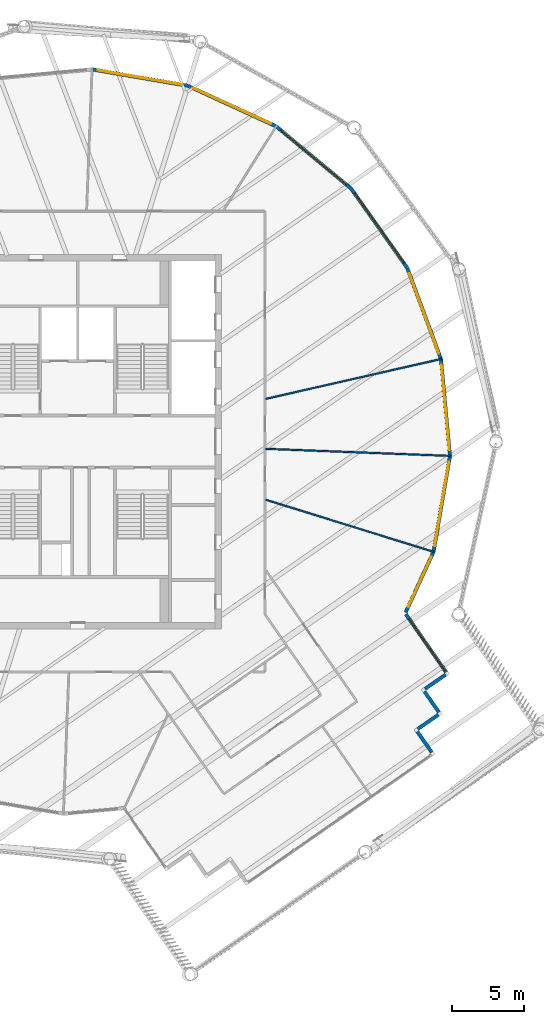
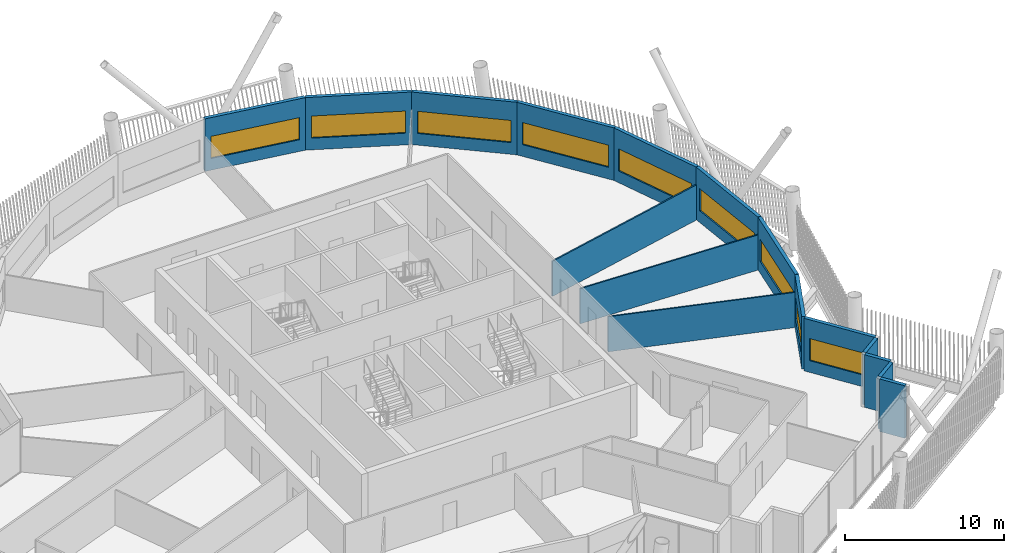
# One storey, part 20 of 33: 16 walls, 9 windows, 9 openings.
"""IFC4 building model written with IfcOpenShell, lengths in metres."""

import ifcopenshell
import ifcopenshell.guid

model = None  # the IFC model being written
_history = None  # IfcOwnerHistory: only IFC2X3 demands one
_inside = {}  # id of a spatial element -> (the spatial element, [elements in it])
_under = {}  # id of a project, library or spatial element -> (it, [spatial elements below it])
_declared = {}  # id of a project -> (the project, [libraries it declares])
_typed = {}  # id of a type object -> (the type object, [elements of that type])
_made_of = {}  # id of a material, layer set ... -> (it, [elements and type objects made of it])


def new_model(schema):
    """Start an empty IFC model of exactly this schema.

    Asked for "IFC4X3", IfcOpenShell would pick the latest addendum, in which some entities
    have other attributes; the version numbers below select the first issue.
    IFC2X3 requires an IfcOwnerHistory on every rooted entity: one is made here for all.
    """
    global model, _history
    if schema == "IFC4X3":
        model = ifcopenshell.file(schema_version=(4, 3, 0, 0))
    else:
        model = ifcopenshell.file(schema=schema)
    _inside.clear()
    _under.clear()
    _declared.clear()
    _typed.clear()
    _made_of.clear()
    _history = None
    if model.schema == "IFC2X3":
        org = make("IfcOrganization", Name="unknown")
        user = make(
            "IfcPersonAndOrganization",
            ThePerson=make("IfcPerson", FamilyName="unknown"),
            TheOrganization=org,
        )
        app = make(
            "IfcApplication",
            ApplicationDeveloper=org,
            Version="unknown",
            ApplicationFullName="unknown",
            ApplicationIdentifier="unknown",
        )
        _history = make(
            "IfcOwnerHistory",
            OwningUser=user,
            OwningApplication=app,
            ChangeAction="ADDED",
            CreationDate=0,
        )
    return model


def make(cls, **values):
    """One entity of the class cls with the attributes given. An attribute that is None is left unset."""
    return model.create_entity(
        cls, **{name: value for name, value in values.items() if value is not None}
    )


def rooted(cls, **values):
    """An entity with a GlobalId (a new one), such as an element, a storey or a relation."""
    return make(cls, GlobalId=ifcopenshell.guid.new(), OwnerHistory=_history, **values)


def si_unit(unit_type, name, prefix=None):
    """IfcSIUnit, for example si_unit("LENGTHUNIT", "METRE", prefix="MILLI")."""
    return make("IfcSIUnit", UnitType=unit_type, Prefix=prefix, Name=name)


def assignment(units):
    """IfcUnitAssignment: the units of a project."""
    return None if units is None else make("IfcUnitAssignment", Units=units)


def point(xyz):
    """IfcCartesianPoint."""
    return None if xyz is None else make("IfcCartesianPoint", Coordinates=xyz)


def direction(xyz):
    """IfcDirection."""
    return None if xyz is None else make("IfcDirection", DirectionRatios=xyz)


def frame(location, z_axis=None, x_axis=None):
    """IfcAxis2Placement3D, a coordinate frame: its origin and axes. An axis left out is left unset."""
    return make(
        "IfcAxis2Placement3D",
        Location=point(location),
        Axis=direction(z_axis),
        RefDirection=direction(x_axis),
    )


def frame_2d(location, x_axis=None):
    """IfcAxis2Placement2D, a coordinate frame in the plane: its origin and x axis."""
    return make(
        "IfcAxis2Placement2D", Location=point(location), RefDirection=direction(x_axis)
    )


def origin():
    """The frame at (0, 0, 0) with its axes left unset."""
    return frame((0.0, 0.0, 0.0))


def place(relative_to, where):
    """IfcLocalPlacement: puts the frame where relative to a parent placement (None: the world)."""
    return make(
        "IfcLocalPlacement", PlacementRelTo=relative_to, RelativePlacement=where
    )


def context(
    kind, dimensions, precision=None, world=None, true_north=None, identifier=None
):
    """IfcGeometricRepresentationContext, for example the 3D "Model" context."""
    return make(
        "IfcGeometricRepresentationContext",
        ContextIdentifier=identifier,
        ContextType=kind,
        CoordinateSpaceDimension=dimensions,
        Precision=precision,
        WorldCoordinateSystem=world,
        TrueNorth=true_north,
    )


def subcontext(parent, identifier, kind, view, scale=None):
    """IfcGeometricRepresentationSubContext, for example "Body" below "Model"."""
    return make(
        "IfcGeometricRepresentationSubContext",
        ContextIdentifier=identifier,
        ContextType=kind,
        ParentContext=parent,
        TargetScale=scale,
        TargetView=view,
    )


def project(units=None, contexts=None):
    """IfcProject with its units and contexts."""
    return rooted(
        "IfcProject",
        Name="project",
        RepresentationContexts=contexts,
        UnitsInContext=assignment(units),
    )


def spatial(cls, under=None, at=None, **own):
    """A site, building, storey or space (cls), placed at a placement, below another one or the project."""
    s = rooted(cls, ObjectPlacement=at, **own)
    if under is not None:
        _under.setdefault(under.id(), (under, []))[1].append(s)
    return s


def profile(cls, at=None, kind="AREA", **sizes):
    """A parametric profile (cls). Its sizes go by their IFC names, for example OverallWidth=200.0."""
    return make(cls, ProfileType=kind, Position=at, **sizes)


def rectangle(**sizes):
    """IfcRectangleProfileDef."""
    return profile("IfcRectangleProfileDef", **sizes)


def extrude(swept, where, along, depth):
    """IfcExtrudedAreaSolid: the profile swept, set in the frame where, extruded along a direction by depth."""
    return make(
        "IfcExtrudedAreaSolid",
        SweptArea=swept,
        Position=where,
        ExtrudedDirection=direction(along),
        Depth=depth,
    )


def shape(context_of_items, identifier, shape_type, items):
    """IfcShapeRepresentation: the items that make up one representation, for example the "Body"."""
    return make(
        "IfcShapeRepresentation",
        ContextOfItems=context_of_items,
        RepresentationIdentifier=identifier,
        RepresentationType=shape_type,
        Items=items,
    )


def material(Name=None, Category=None):
    """IfcMaterial."""
    return make("IfcMaterial", Name=Name, Category=Category)


def layer(
    of_material, thickness, ventilated=None, Name=None, Category=None, Priority=None
):
    """IfcMaterialLayer: one layer of a wall or slab, of a material (None: an air gap)."""
    return make(
        "IfcMaterialLayer",
        Material=of_material,
        LayerThickness=thickness,
        IsVentilated=ventilated,
        Name=Name,
        Category=Category,
        Priority=Priority,
    )


def layer_set(layers, Name=None):
    """IfcMaterialLayerSet."""
    return make("IfcMaterialLayerSet", MaterialLayers=layers, LayerSetName=Name)


def made_of(thing, what):
    """Note that an element or type object is made of a material, layer set ...; save() writes the relation."""
    if what is not None:
        _made_of.setdefault(what.id(), (what, []))[1].append(thing)
    return thing


def type_object(cls, material=None, **own):
    """A type object (cls), such as IfcWallType, which elements share."""
    return made_of(rooted(cls, **own), material)


def element(
    cls,
    number,
    at=None,
    inside=None,
    cuts=None,
    type_object=None,
    material=None,
    context=None,
    identifier="Body",
    shape_type=None,
    held_by="IfcProductDefinitionShape",
    body=None,
    shapes=None,
    **own,
):
    """One element of the class cls, such as IfcWall. Its Tag is "e" and its number.

    at: its placement. inside: the storey or other place that contains it. cuts: it is an
    opening in that element (IfcRelVoidsElement). A single representation is given by context,
    identifier, shape_type and body (its items); several are given by shapes. held_by: the class
    of the entity that holds the representations. save() writes the other relations.
    """
    e = rooted(cls, Tag="e%d" % number, ObjectPlacement=at, **own)
    if body is not None:
        shapes = [shape(context, identifier, shape_type, body)]
    if shapes is not None:
        e.Representation = make(held_by, Representations=shapes)
    if inside is not None:
        _inside.setdefault(inside.id(), (inside, []))[1].append(e)
    if cuts is not None:
        rooted(
            "IfcRelVoidsElement", RelatingBuildingElement=cuts, RelatedOpeningElement=e
        )
    if type_object is not None:
        _typed.setdefault(type_object.id(), (type_object, []))[1].append(e)
    return made_of(e, material)


def fill(opening, filler):
    """IfcRelFillsElement: the door or window that sits in an opening."""
    return rooted(
        "IfcRelFillsElement",
        RelatingOpeningElement=opening,
        RelatedBuildingElement=filler,
    )


def aggregate(whole, parts):
    """IfcRelAggregates: a whole, such as a stair, and the parts it consists of."""
    return rooted("IfcRelAggregates", RelatingObject=whole, RelatedObjects=parts)


def save(model, path):
    """Write the relations noted so far, then the file.

    IfcRelAggregates (storeys below a building ...), IfcRelContainedInSpatialStructure (elements
    in a storey), IfcRelDefinesByType, IfcRelAssociatesMaterial and IfcRelDeclares: one each for
    every whole, place, type object, material and project.
    """
    for whole, parts in _under.values():
        aggregate(whole, parts)
    for where, things in _inside.values():
        rooted(
            "IfcRelContainedInSpatialStructure",
            RelatedElements=things,
            RelatingStructure=where,
        )
    for kind, things in _typed.values():
        rooted("IfcRelDefinesByType", RelatedObjects=things, RelatingType=kind)
    for what, things in _made_of.values():
        rooted("IfcRelAssociatesMaterial", RelatedObjects=things, RelatingMaterial=what)
    for by, libraries in _declared.values():
        rooted("IfcRelDeclares", RelatingContext=by, RelatedDefinitions=libraries)
    model.write(path)


model = new_model("IFC4")

# Units and contexts
model_context = context("Model", 3, precision=1e-05, world=origin(), true_north=direction((0.0, 1.0)))
body_context = subcontext(model_context, "Body", "Model", "MODEL_VIEW")
ifc_project = project(units=[si_unit("LENGTHUNIT", "METRE"), si_unit("AREAUNIT", "SQUARE_METRE"), si_unit("VOLUMEUNIT", "CUBIC_METRE"), si_unit("PLANEANGLEUNIT", "RADIAN"), si_unit("MASSUNIT", "GRAM", prefix="KILO")], contexts=[model_context])

# Site, building, storey
site_placement = place(None, origin())
site = spatial("IfcSite", under=ifc_project, at=site_placement, CompositionType="ELEMENT")
building_placement = place(site_placement, origin())
building = spatial("IfcBuilding", under=site, at=building_placement, Name="Tarsis Ring Headquarters", CompositionType="ELEMENT")
storey_placement = place(building_placement, frame((0.0, 0.0, 369.199951171875)))
storey = spatial("IfcBuildingStorey", under=building, at=storey_placement, Name="L87", CompositionType="ELEMENT", Elevation=369.199951171875)

# Walls
ifc_material_1 = material(Name="Gypsum board on steel studs", Category="steel")
ifc_layer_1 = layer(ifc_material_1, 0.10009765625)
ifc_layer_set_1 = layer_set([ifc_layer_1], Name="FL partition 100 unrated")
wall_type_1 = type_object("IfcWallType", Name="FL partition 100 unrated", PredefinedType="PARTITIONING", material=ifc_layer_set_1)
wall_1_placement = place(storey_placement, frame((13.06982421875, -0.502197265625, 0.0), z_axis=(0.0, 0.0, 1.0), x_axis=(0.999263190972, -0.038380661389, 0.0)))
element("IfcWall", 1, at=wall_1_placement, inside=storey, type_object=wall_type_1, Name="Partition PW3", PredefinedType="PARTITIONING", context=body_context, shape_type="SweptSolid", body=[
    extrude(rectangle(XDim=12.868408203125, YDim=0.10009765625, at=frame_2d((6.43408203125, 0.0))), origin(), (0.0, 0.0, 1.0), 2.699951171875),
])
wall_2_placement = place(storey_placement, frame((13.068359375, 2.968994140625, 0.0), z_axis=(0.0, 0.0, 1.0), x_axis=(0.975146807729, 0.22155970612, 0.0)))
element("IfcWall", 2, at=wall_2_placement, inside=storey, type_object=wall_type_1, Name="Partition PW3", PredefinedType="PARTITIONING", context=body_context, shape_type="SweptSolid", body=[
    extrude(rectangle(XDim=12.54638671875, YDim=0.10009765625, at=frame_2d((6.273193359375, 0.0))), origin(), (0.0, 0.0, 1.0), 2.699951171875),
])
wall_3_placement = place(storey_placement, frame((13.06689453125, -4.044921875, 0.0), z_axis=(0.0, 0.0, 1.0), x_axis=(0.955276388651, -0.295714425224, 0.0)))
element("IfcWall", 3, at=wall_3_placement, inside=storey, type_object=wall_type_1, Name="Partition PW3", PredefinedType="PARTITIONING", context=body_context, shape_type="SweptSolid", body=[
    extrude(rectangle(XDim=12.269287109375, YDim=0.10009765625, at=frame_2d((6.134765625, 0.0))), origin(), (0.0, 0.0, 1.0), 2.699951171875),
])
ifc_material_2 = material(Name="Terracotta clad insulated panel wall", Category="masonry")
ifc_layer_2 = layer(ifc_material_2, 0.25)
ifc_layer_set_2 = layer_set([ifc_layer_2], Name="Facade wall terracotta panel 250")
wall_type_2 = type_object("IfcWallType", Name="Facade wall terracotta panel 250", PredefinedType="STANDARD", material=ifc_layer_set_2)
for number, where, z_axis, x_axis, name in (
    (4, (24.586669921875, -21.5771484375, 0.0), (0.0, 0.0, 1.0), (-0.570725178519, 0.821141139272, 0.0), "External wall L87-12"),
    (5, (23.619140625, -19.966064453125, 0.0), (0.0, 0.0, 1.0), (0.821141139272, 0.570725178519, 0.0), "External wall L87-13"),
    (6, (25.087646484375, -18.79345703125, 0.0), (0.0, 0.0, 1.0), (-0.570725178519, 0.821141139272, 0.0), "External wall L87-14"),
    (7, (24.1201171875, -17.182373046875, 0.0), (0.0, 0.0, 1.0), (0.821141139272, 0.570725178519, 0.0), "External wall L87-15"),
):
    element("IfcWall", number, at=place(storey_placement, frame(where, z_axis=z_axis, x_axis=x_axis)), inside=storey, type_object=wall_type_2, Name=name, PredefinedType="STANDARD", context=body_context, shape_type="SweptSolid", body=[
        extrude(rectangle(XDim=1.75, YDim=0.25, at=frame_2d((0.875, 0.0))), origin(), (0.0, 0.0, 1.0), 4.0400390625),
    ])

# Wall, opening, window
wall_4_placement = place(storey_placement, frame((25.58837890625, -16.009765625, 0.0), z_axis=(0.0, 0.0, 1.0), x_axis=(-0.570677680429, 0.821174150263, 0.0)))
wall_4 = element("IfcWall", 8, at=wall_4_placement, inside=storey, type_object=wall_type_2, Name="External wall L87-16", PredefinedType="STANDARD", context=body_context, shape_type="SweptSolid", body=[
    extrude(rectangle(XDim=4.9013671875, YDim=0.25, at=frame_2d((2.45068359375, 0.0))), origin(), (0.0, 0.0, 1.0), 4.0400390625),
])
opening_1_placement = place(wall_4_placement, frame((0.150634765625, 0.0, 0.89990234375)))
opening_1 = element("IfcOpeningElement", 9, at=opening_1_placement, cuts=wall_4, Name="Opening WN03", PredefinedType="OPENING", context=body_context, shape_type="SweptSolid", body=[
    extrude(rectangle(XDim=4.35009765625, YDim=1.699951171875, at=frame_2d((2.175048828125, 0.85009765625))), frame((0.0, 0.135009765625, 0.0), z_axis=(0.0, -1.0, 0.0), x_axis=(1.0, 0.0, 0.0)), (0.0, 0.0, 1.0), 0.27001953125),
])
ifc_material_3 = material(Name="Aluminium framed double glazing", Category="aluminium")
window_type_1 = type_object("IfcWindowType", Name="Facade window 4350 x 1700", PartitioningType="SINGLE_PANEL", PredefinedType="WINDOW", material=ifc_material_3)
window_1_placement = place(opening_1_placement, origin())
window_1 = element("IfcWindow", 10, at=window_1_placement, inside=storey, type_object=window_type_1, Name="Window L87-16.1", OverallHeight=1.699951171875, OverallWidth=4.35009765625, PartitioningType="SINGLE_PANEL", PredefinedType="WINDOW", context=body_context, shape_type="SweptSolid", body=[
    extrude(rectangle(XDim=4.35009765625, YDim=1.699951171875, at=frame_2d((2.175048828125, 0.85009765625))), frame((0.0, 0.030029296875, 0.0), z_axis=(0.0, -1.0, 0.0), x_axis=(1.0, 0.0, 0.0)), (0.0, 0.0, 1.0), 0.06005859375),
])
fill(opening_1, window_1)

wall_5_placement = place(storey_placement, frame((22.7802734375, -11.861328125, 0.0), z_axis=(0.0, 0.0, 1.0), x_axis=(0.41787768112, 0.90850329863, 0.0)))
wall_5 = element("IfcWall", 11, at=wall_5_placement, inside=storey, type_object=wall_type_2, Name="External wall L87-17", PredefinedType="STANDARD", context=body_context, shape_type="SweptSolid", body=[
    extrude(rectangle(XDim=4.617919921875, YDim=0.25, at=frame_2d((2.30908203125, 0.0))), origin(), (0.0, 0.0, 1.0), 4.0400390625),
])
opening_2_placement = place(wall_5_placement, frame((0.400390625, 0.0, 0.89990234375)))
opening_2 = element("IfcOpeningElement", 12, at=opening_2_placement, cuts=wall_5, Name="Opening WN02", PredefinedType="OPENING", context=body_context, shape_type="SweptSolid", body=[
    extrude(rectangle(XDim=3.85009765625, YDim=1.699951171875, at=frame_2d((1.925048828125, 0.85009765625))), frame((0.0, 0.135009765625, 0.0), z_axis=(0.0, -1.0, 0.0), x_axis=(1.0, 0.0, 0.0)), (0.0, 0.0, 1.0), 0.27001953125),
])
window_type_2 = type_object("IfcWindowType", Name="Facade window 3850 x 1700", PartitioningType="SINGLE_PANEL", PredefinedType="WINDOW", material=ifc_material_3)
window_2_placement = place(opening_2_placement, origin())
window_2 = element("IfcWindow", 13, at=window_2_placement, inside=storey, type_object=window_type_2, Name="Window L87-17.1", OverallHeight=1.699951171875, OverallWidth=3.85009765625, PartitioningType="SINGLE_PANEL", PredefinedType="WINDOW", context=body_context, shape_type="SweptSolid", body=[
    extrude(rectangle(XDim=3.85009765625, YDim=1.699951171875, at=frame_2d((1.925048828125, 0.85009765625))), frame((0.0, 0.030029296875, 0.0), z_axis=(0.0, -1.0, 0.0), x_axis=(1.0, 0.0, 0.0)), (0.0, 0.0, 1.0), 0.06005859375),
])
fill(opening_2, window_2)

wall_6_placement = place(storey_placement, frame((24.719482421875, -7.635009765625, 0.0), z_axis=(0.0, 0.0, 1.0), x_axis=(0.168497027363, 0.985702161796, 0.0)))
wall_6 = element("IfcWall", 14, at=wall_6_placement, inside=storey, type_object=wall_type_2, Name="External wall L87-18", PredefinedType="STANDARD", context=body_context, shape_type="SweptSolid", body=[
    extrude(rectangle(XDim=6.7216796875, YDim=0.25, at=frame_2d((3.36083984375, 0.0))), origin(), (0.0, 0.0, 1.0), 4.0400390625),
])
opening_3_placement = place(wall_6_placement, frame((0.3857421875, 0.0, 0.89990234375)))
opening_3 = element("IfcOpeningElement", 15, at=opening_3_placement, cuts=wall_6, Name="Opening WN07", PredefinedType="OPENING", context=body_context, shape_type="SweptSolid", body=[
    extrude(rectangle(XDim=5.949951171875, YDim=1.699951171875, at=frame_2d((2.97509765625, 0.85009765625))), frame((0.0, 0.135009765625, 0.0), z_axis=(0.0, -1.0, 0.0), x_axis=(1.0, 0.0, 0.0)), (0.0, 0.0, 1.0), 0.27001953125),
])
window_type_3 = type_object("IfcWindowType", Name="Facade window 5950 x 1700", PartitioningType="SINGLE_PANEL", PredefinedType="WINDOW", material=ifc_material_3)
window_3_placement = place(opening_3_placement, origin())
window_3 = element("IfcWindow", 16, at=window_3_placement, inside=storey, type_object=window_type_3, Name="Window L87-18.1", OverallHeight=1.699951171875, OverallWidth=5.949951171875, PartitioningType="SINGLE_PANEL", PredefinedType="WINDOW", context=body_context, shape_type="SweptSolid", body=[
    extrude(rectangle(XDim=5.949951171875, YDim=1.699951171875, at=frame_2d((2.97509765625, 0.85009765625))), frame((0.0, 0.030029296875, 0.0), z_axis=(0.0, -1.0, 0.0), x_axis=(1.0, 0.0, 0.0)), (0.0, 0.0, 1.0), 0.06005859375),
])
fill(opening_3, window_3)

wall_7_placement = place(storey_placement, frame((25.853271484375, -0.976806640625, 0.0), z_axis=(0.0, 0.0, 1.0), x_axis=(-0.092369610692, 0.995724788795, 0.0)))
wall_7 = element("IfcWall", 17, at=wall_7_placement, inside=storey, type_object=wall_type_2, Name="External wall L87-19", PredefinedType="STANDARD", context=body_context, shape_type="SweptSolid", body=[
    extrude(rectangle(XDim=6.721435546875, YDim=0.25, at=frame_2d((3.36083984375, 0.0))), origin(), (0.0, 0.0, 1.0), 4.0400390625),
])
opening_4_placement = place(wall_7_placement, frame((0.3857421875, 0.0, 0.89990234375)))
opening_4 = element("IfcOpeningElement", 18, at=opening_4_placement, cuts=wall_7, Name="Opening WN07", PredefinedType="OPENING", context=body_context, shape_type="SweptSolid", body=[
    extrude(rectangle(XDim=5.949951171875, YDim=1.699951171875, at=frame_2d((2.97509765625, 0.85009765625))), frame((0.0, 0.135009765625, 0.0), z_axis=(0.0, -1.0, 0.0), x_axis=(1.0, 0.0, 0.0)), (0.0, 0.0, 1.0), 0.27001953125),
])
window_4_placement = place(opening_4_placement, origin())
window_4 = element("IfcWindow", 19, at=window_4_placement, inside=storey, type_object=window_type_3, Name="Window L87-19.1", OverallHeight=1.699951171875, OverallWidth=5.949951171875, PartitioningType="SINGLE_PANEL", PredefinedType="WINDOW", context=body_context, shape_type="SweptSolid", body=[
    extrude(rectangle(XDim=5.949951171875, YDim=1.699951171875, at=frame_2d((2.97509765625, 0.85009765625))), frame((0.0, 0.030029296875, 0.0), z_axis=(0.0, -1.0, 0.0), x_axis=(1.0, 0.0, 0.0)), (0.0, 0.0, 1.0), 0.06005859375),
])
fill(opening_4, window_4)

wall_8_placement = place(storey_placement, frame((25.225341796875, 5.747802734375, 0.0), z_axis=(0.0, 0.0, 1.0), x_axis=(-0.346952331957, 0.937882764182, 0.0)))
wall_8 = element("IfcWall", 20, at=wall_8_placement, inside=storey, type_object=wall_type_2, Name="External wall L87-20", PredefinedType="STANDARD", context=body_context, shape_type="SweptSolid", body=[
    extrude(rectangle(XDim=6.721435546875, YDim=0.25, at=frame_2d((3.36083984375, 0.0))), origin(), (0.0, 0.0, 1.0), 4.0400390625),
])
opening_5_placement = place(wall_8_placement, frame((0.3857421875, 0.0, 0.89990234375)))
opening_5 = element("IfcOpeningElement", 21, at=opening_5_placement, cuts=wall_8, Name="Opening WN07", PredefinedType="OPENING", context=body_context, shape_type="SweptSolid", body=[
    extrude(rectangle(XDim=5.949951171875, YDim=1.699951171875, at=frame_2d((2.97509765625, 0.85009765625))), frame((0.0, 0.135009765625, 0.0), z_axis=(0.0, -1.0, 0.0), x_axis=(1.0, 0.0, 0.0)), (0.0, 0.0, 1.0), 0.27001953125),
])
window_5_placement = place(opening_5_placement, origin())
window_5 = element("IfcWindow", 22, at=window_5_placement, inside=storey, type_object=window_type_3, Name="Window L87-20.1", OverallHeight=1.699951171875, OverallWidth=5.949951171875, PartitioningType="SINGLE_PANEL", PredefinedType="WINDOW", context=body_context, shape_type="SweptSolid", body=[
    extrude(rectangle(XDim=5.949951171875, YDim=1.699951171875, at=frame_2d((2.97509765625, 0.85009765625))), frame((0.0, 0.030029296875, 0.0), z_axis=(0.0, -1.0, 0.0), x_axis=(1.0, 0.0, 0.0)), (0.0, 0.0, 1.0), 0.06005859375),
])
fill(opening_5, window_5)

wall_9_placement = place(storey_placement, frame((22.878173828125, 12.08056640625, 0.0), z_axis=(0.0, 0.0, 1.0), x_axis=(-0.577866168566, 0.816131540395, 0.0)))
wall_9 = element("IfcWall", 23, at=wall_9_placement, inside=storey, type_object=wall_type_2, Name="External wall L87-21", PredefinedType="STANDARD", context=body_context, shape_type="SweptSolid", body=[
    extrude(rectangle(XDim=6.7216796875, YDim=0.25, at=frame_2d((3.36083984375, 0.0))), origin(), (0.0, 0.0, 1.0), 4.0400390625),
])
opening_6_placement = place(wall_9_placement, frame((0.3857421875, 0.0, 0.89990234375)))
opening_6 = element("IfcOpeningElement", 24, at=opening_6_placement, cuts=wall_9, Name="Opening WN07", PredefinedType="OPENING", context=body_context, shape_type="SweptSolid", body=[
    extrude(rectangle(XDim=5.949951171875, YDim=1.699951171875, at=frame_2d((2.97509765625, 0.85009765625))), frame((0.0, 0.135009765625, 0.0), z_axis=(0.0, -1.0, 0.0), x_axis=(1.0, 0.0, 0.0)), (0.0, 0.0, 1.0), 0.27001953125),
])
window_6_placement = place(opening_6_placement, origin())
window_6 = element("IfcWindow", 25, at=window_6_placement, inside=storey, type_object=window_type_3, Name="Window L87-21.1", OverallHeight=1.699951171875, OverallWidth=5.949951171875, PartitioningType="SINGLE_PANEL", PredefinedType="WINDOW", context=body_context, shape_type="SweptSolid", body=[
    extrude(rectangle(XDim=5.949951171875, YDim=1.699951171875, at=frame_2d((2.97509765625, 0.85009765625))), frame((0.0, 0.030029296875, 0.0), z_axis=(0.0, -1.0, 0.0), x_axis=(1.0, 0.0, 0.0)), (0.0, 0.0, 1.0), 0.06005859375),
])
fill(opening_6, window_6)

wall_10_placement = place(storey_placement, frame((18.971923828125, 17.59033203125, 0.0), z_axis=(0.0, 0.0, 1.0), x_axis=(-0.769407863443, 0.638757809872, 0.0)))
wall_10 = element("IfcWall", 26, at=wall_10_placement, inside=storey, type_object=wall_type_2, Name="External wall L87-22", PredefinedType="STANDARD", context=body_context, shape_type="SweptSolid", body=[
    extrude(rectangle(XDim=6.7216796875, YDim=0.25, at=frame_2d((3.36083984375, 0.0))), origin(), (0.0, 0.0, 1.0), 4.0400390625),
])
opening_7_placement = place(wall_10_placement, frame((0.3857421875, 0.0, 0.89990234375)))
opening_7 = element("IfcOpeningElement", 27, at=opening_7_placement, cuts=wall_10, Name="Opening WN07", PredefinedType="OPENING", context=body_context, shape_type="SweptSolid", body=[
    extrude(rectangle(XDim=5.949951171875, YDim=1.699951171875, at=frame_2d((2.97509765625, 0.85009765625))), frame((0.0, 0.135009765625, 0.0), z_axis=(0.0, -1.0, 0.0), x_axis=(1.0, 0.0, 0.0)), (0.0, 0.0, 1.0), 0.27001953125),
])
window_7_placement = place(opening_7_placement, origin())
window_7 = element("IfcWindow", 28, at=window_7_placement, inside=storey, type_object=window_type_3, Name="Window L87-22.1", OverallHeight=1.699951171875, OverallWidth=5.949951171875, PartitioningType="SINGLE_PANEL", PredefinedType="WINDOW", context=body_context, shape_type="SweptSolid", body=[
    extrude(rectangle(XDim=5.949951171875, YDim=1.699951171875, at=frame_2d((2.97509765625, 0.85009765625))), frame((0.0, 0.030029296875, 0.0), z_axis=(0.0, -1.0, 0.0), x_axis=(1.0, 0.0, 0.0)), (0.0, 0.0, 1.0), 0.06005859375),
])
fill(opening_7, window_7)

wall_11_placement = place(storey_placement, frame((13.772705078125, 21.901123046875, 0.0), z_axis=(0.0, 0.0, 1.0), x_axis=(-0.908503966259, 0.417876229633, 0.0)))
wall_11 = element("IfcWall", 29, at=wall_11_placement, inside=storey, type_object=wall_type_2, Name="External wall L87-23", PredefinedType="STANDARD", context=body_context, shape_type="SweptSolid", body=[
    extrude(rectangle(XDim=6.7216796875, YDim=0.25, at=frame_2d((3.36083984375, 0.0))), origin(), (0.0, 0.0, 1.0), 4.0400390625),
])
opening_8_placement = place(wall_11_placement, frame((0.3857421875, 0.0, 0.89990234375)))
opening_8 = element("IfcOpeningElement", 30, at=opening_8_placement, cuts=wall_11, Name="Opening WN07", PredefinedType="OPENING", context=body_context, shape_type="SweptSolid", body=[
    extrude(rectangle(XDim=5.949951171875, YDim=1.699951171875, at=frame_2d((2.97509765625, 0.85009765625))), frame((0.0, 0.135009765625, 0.0), z_axis=(0.0, -1.0, 0.0), x_axis=(1.0, 0.0, 0.0)), (0.0, 0.0, 1.0), 0.27001953125),
])
window_8_placement = place(opening_8_placement, origin())
window_8 = element("IfcWindow", 31, at=window_8_placement, inside=storey, type_object=window_type_3, Name="Window L87-23.1", OverallHeight=1.699951171875, OverallWidth=5.949951171875, PartitioningType="SINGLE_PANEL", PredefinedType="WINDOW", context=body_context, shape_type="SweptSolid", body=[
    extrude(rectangle(XDim=5.949951171875, YDim=1.699951171875, at=frame_2d((2.97509765625, 0.85009765625))), frame((0.0, 0.030029296875, 0.0), z_axis=(0.0, -1.0, 0.0), x_axis=(1.0, 0.0, 0.0)), (0.0, 0.0, 1.0), 0.06005859375),
])
fill(opening_8, window_8)

wall_12_placement = place(storey_placement, frame((7.635009765625, 24.719482421875, 0.0), z_axis=(0.0, 0.0, 1.0), x_axis=(-0.985702161796, 0.168497027363, 0.0)))
wall_12 = element("IfcWall", 32, at=wall_12_placement, inside=storey, type_object=wall_type_2, Name="External wall L87-24", PredefinedType="STANDARD", context=body_context, shape_type="SweptSolid", body=[
    extrude(rectangle(XDim=6.7216796875, YDim=0.25, at=frame_2d((3.36083984375, 0.0))), origin(), (0.0, 0.0, 1.0), 4.0400390625),
])
opening_9_placement = place(wall_12_placement, frame((0.3857421875, 0.0, 0.89990234375)))
opening_9 = element("IfcOpeningElement", 33, at=opening_9_placement, cuts=wall_12, Name="Opening WN07", PredefinedType="OPENING", context=body_context, shape_type="SweptSolid", body=[
    extrude(rectangle(XDim=5.949951171875, YDim=1.699951171875, at=frame_2d((2.97509765625, 0.85009765625))), frame((0.0, 0.135009765625, 0.0), z_axis=(0.0, -1.0, 0.0), x_axis=(1.0, 0.0, 0.0)), (0.0, 0.0, 1.0), 0.27001953125),
])
window_9_placement = place(opening_9_placement, origin())
window_9 = element("IfcWindow", 34, at=window_9_placement, inside=storey, type_object=window_type_3, Name="Window L87-24.1", OverallHeight=1.699951171875, OverallWidth=5.949951171875, PartitioningType="SINGLE_PANEL", PredefinedType="WINDOW", context=body_context, shape_type="SweptSolid", body=[
    extrude(rectangle(XDim=5.949951171875, YDim=1.699951171875, at=frame_2d((2.97509765625, 0.85009765625))), frame((0.0, 0.030029296875, 0.0), z_axis=(0.0, -1.0, 0.0), x_axis=(1.0, 0.0, 0.0)), (0.0, 0.0, 1.0), 0.06005859375),
])
fill(opening_9, window_9)

save(model, "model.ifc")
